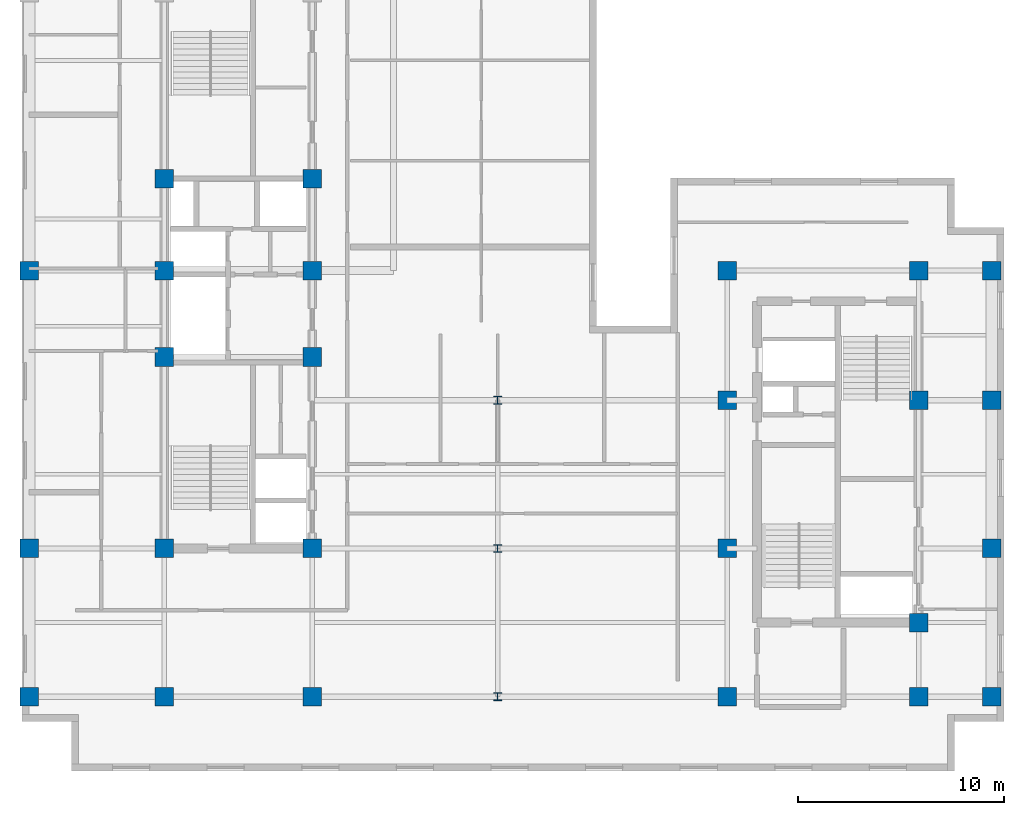
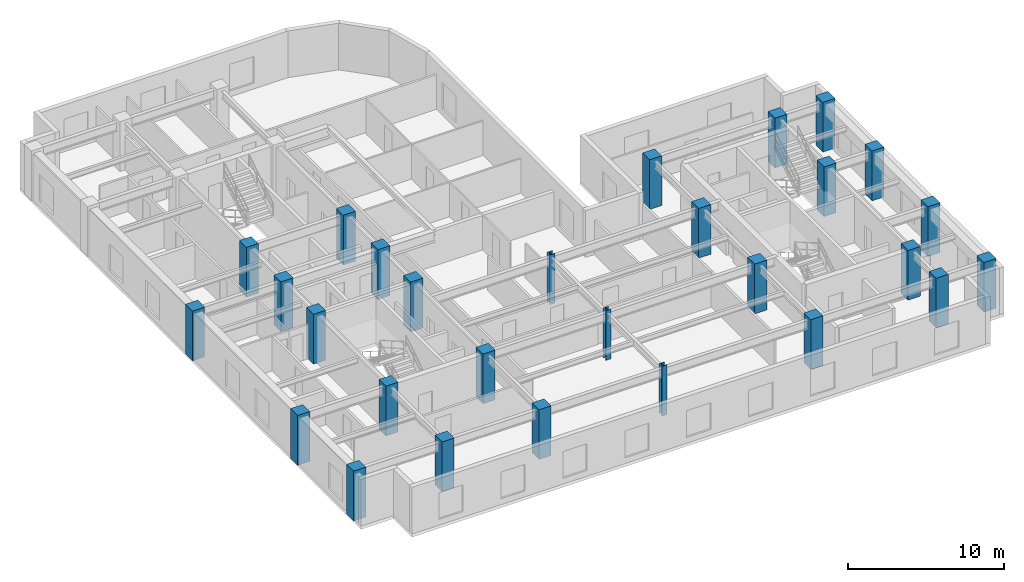
# One storey, part 1 of 10: 28 columns.
"""IFC4 building model written with IfcOpenShell, lengths in metres."""

from ifc_helpers import new_model, entity, si_unit, converted_unit, direction, frame, origin_with_axes, origin_2d_with_axis, place, context, subcontext, project, spatial, rectangle, i_section, extrude, material, material_profile, profile_set, type_object, element, save


model = new_model("IFC4")

# Units and contexts
model_context = context("Model", 3, precision=1e-05, world=origin_with_axes(), true_north=direction((0.0, 1.0)))
body_context = subcontext(model_context, "Body", "Model", "MODEL_VIEW")
ifc_project = project(units=[si_unit("LENGTHUNIT", "METRE"), si_unit("AREAUNIT", "SQUARE_METRE"), si_unit("VOLUMEUNIT", "CUBIC_METRE"), converted_unit("PLANEANGLEUNIT", "DEGREE", entity("IfcPlaneAngleMeasure", 0.017453292519943295), si_unit("PLANEANGLEUNIT", "RADIAN"), dimensions=[0, 0, 0, 0, 0, 0, 0]), si_unit("MASSUNIT", "GRAM", prefix="KILO"), si_unit("THERMODYNAMICTEMPERATUREUNIT", "KELVIN")], contexts=[model_context])

# Site, building, storey
site_placement = place(None, origin_with_axes())
site = spatial("IfcSite", under=ifc_project, at=site_placement, CompositionType="ELEMENT")
building_placement = place(site_placement, origin_with_axes())
building = spatial("IfcBuilding", under=site, at=building_placement, Name="Varnlund Millrace Tower", CompositionType="ELEMENT")
storey_placement = place(building_placement, frame((0.0, 0.0, 240.3), z_axis=(0.0, 0.0, 1.0), x_axis=(1.0, 0.0, 0.0)))
storey = spatial("IfcBuildingStorey", under=building, at=storey_placement, Name="L59", CompositionType="ELEMENT", Elevation=240.3)

# Columns
ifc_material_1 = material(Name="Steel ASTM A992 Grade 50", Category="steel")
ifc_material_profile_1 = material_profile(ifc_material_1, i_section(OverallWidth=0.394, OverallDepth=0.375, WebThickness=0.0173, FlangeThickness=0.0277, FilletRadius=0.02, at=origin_2d_with_axis()), Name="Steel ASTM A992 Grade 50")
ifc_profile_set_1 = profile_set([ifc_material_profile_1], Name="Steel ASTM A992 Grade 50")
column_type_1 = type_object("IfcColumnType", Name="Type-Col-Int-W14X145", PredefinedType="COLUMN", material=ifc_profile_set_1)
for number, where, z_axis, x_axis, name in (
    (1, (27.6, 3.6, 0.0), (0.0, 0.0, 1.0), (1.0, 0.0, 0.0), "Type-Col-Int-W14X145"),
    (2, (27.6, 10.8, 0.0), (0.0, 0.0, 1.0), (1.0, 0.0, 0.0), "Type-Col-Int-W14X145"),
    (3, (27.6, 18.0, 0.0), (0.0, 0.0, 1.0), (1.0, 0.0, 0.0), "Type-Col-Int-W14X145"),
):
    element("IfcColumn", number, at=place(storey_placement, frame(where, z_axis=z_axis, x_axis=x_axis)), inside=storey, type_object=column_type_1, Name=name, PredefinedType="COLUMN", context=body_context, shape_type="SweptSolid", body=[
        extrude(i_section(OverallWidth=0.394, OverallDepth=0.375, WebThickness=0.0173, FlangeThickness=0.0277, FilletRadius=0.02, at=origin_2d_with_axis()), origin_with_axes(), (0.0, 0.0, 1.0), 3.9),
    ])
ifc_material_2 = material(Name="Concrete C70/85", Category="concrete")
ifc_material_profile_2 = material_profile(ifc_material_2, rectangle(XDim=0.9, YDim=0.9, at=origin_2d_with_axis()), Name="Concrete C70/85")
ifc_profile_set_2 = profile_set([ifc_material_profile_2], Name="Concrete C70/85")
column_type_2 = type_object("IfcColumnType", Name="Type-Col-RC900-C70", PredefinedType="COLUMN", material=ifc_profile_set_2)
for number, where, z_axis, x_axis, name in (
    (4, (11.4, 3.6, 0.0), (0.0, 0.0, 1.0), (1.0, 0.0, 0.0), "Type-Col-RC900-C70"),
    (5, (11.4, 10.8, 0.0), (0.0, 0.0, 1.0), (1.0, 0.0, 0.0), "Type-Col-RC900-C70"),
    (6, (11.4, 20.1, 0.0), (0.0, 0.0, 1.0), (1.0, 0.0, 0.0), "Type-Col-RC900-C70"),
    (7, (11.4, 24.3, 0.0), (0.0, 0.0, 1.0), (1.0, 0.0, 0.0), "Type-Col-RC900-C70"),
    (8, (11.4, 28.75, 0.0), (0.0, 0.0, 1.0), (1.0, 0.0, 0.0), "Type-Col-RC900-C70"),
    (9, (18.6, 3.6, 0.0), (0.0, 0.0, 1.0), (1.0, 0.0, 0.0), "Type-Col-RC900-C70"),
    (10, (18.6, 10.8, 0.0), (0.0, 0.0, 1.0), (1.0, 0.0, 0.0), "Type-Col-RC900-C70"),
    (11, (18.6, 20.1, 0.0), (0.0, 0.0, 1.0), (1.0, 0.0, 0.0), "Type-Col-RC900-C70"),
    (12, (18.6, 24.3, 0.0), (0.0, 0.0, 1.0), (1.0, 0.0, 0.0), "Type-Col-RC900-C70"),
    (13, (18.6, 28.75, 0.0), (0.0, 0.0, 1.0), (1.0, 0.0, 0.0), "Type-Col-RC900-C70"),
    (14, (4.85, 3.6, 0.0), (0.0, 0.0, 1.0), (1.0, 0.0, 0.0), "Type-Col-RC900-C70"),
    (15, (4.85, 10.8, 0.0), (0.0, 0.0, 1.0), (1.0, 0.0, 0.0), "Type-Col-RC900-C70"),
    (16, (4.85, 24.3, 0.0), (0.0, 0.0, 1.0), (1.0, 0.0, 0.0), "Type-Col-RC900-C70"),
    (17, (38.75, 3.6, 0.0), (0.0, 0.0, 1.0), (1.0, 0.0, 0.0), "Type-Col-RC900-C70"),
    (18, (38.75, 10.8, 0.0), (0.0, 0.0, 1.0), (1.0, 0.0, 0.0), "Type-Col-RC900-C70"),
    (19, (38.75, 18.0, 0.0), (0.0, 0.0, 1.0), (1.0, 0.0, 0.0), "Type-Col-RC900-C70"),
    (20, (38.75, 24.3, 0.0), (0.0, 0.0, 1.0), (1.0, 0.0, 0.0), "Type-Col-RC900-C70"),
    (21, (48.05, 3.6, 0.0), (0.0, 0.0, 1.0), (1.0, 0.0, 0.0), "Type-Col-RC900-C70"),
    (22, (48.05, 7.2, 0.0), (0.0, 0.0, 1.0), (1.0, 0.0, 0.0), "Type-Col-RC900-C70"),
    (23, (48.05, 18.0, 0.0), (0.0, 0.0, 1.0), (1.0, 0.0, 0.0), "Type-Col-RC900-C70"),
    (24, (48.05, 24.3, 0.0), (0.0, 0.0, 1.0), (1.0, 0.0, 0.0), "Type-Col-RC900-C70"),
    (25, (51.6, 3.6, 0.0), (0.0, 0.0, 1.0), (1.0, 0.0, 0.0), "Type-Col-RC900-C70"),
    (26, (51.6, 10.8, 0.0), (0.0, 0.0, 1.0), (1.0, 0.0, 0.0), "Type-Col-RC900-C70"),
    (27, (51.6, 18.0, 0.0), (0.0, 0.0, 1.0), (1.0, 0.0, 0.0), "Type-Col-RC900-C70"),
    (28, (51.6, 24.3, 0.0), (0.0, 0.0, 1.0), (1.0, 0.0, 0.0), "Type-Col-RC900-C70"),
):
    element("IfcColumn", number, at=place(storey_placement, frame(where, z_axis=z_axis, x_axis=x_axis)), inside=storey, type_object=column_type_2, Name=name, PredefinedType="COLUMN", context=body_context, shape_type="SweptSolid", body=[
        extrude(rectangle(XDim=0.9, YDim=0.9, at=origin_2d_with_axis()), origin_with_axes(), (0.0, 0.0, 1.0), 3.9),
    ])

save(model, "model.ifc")
